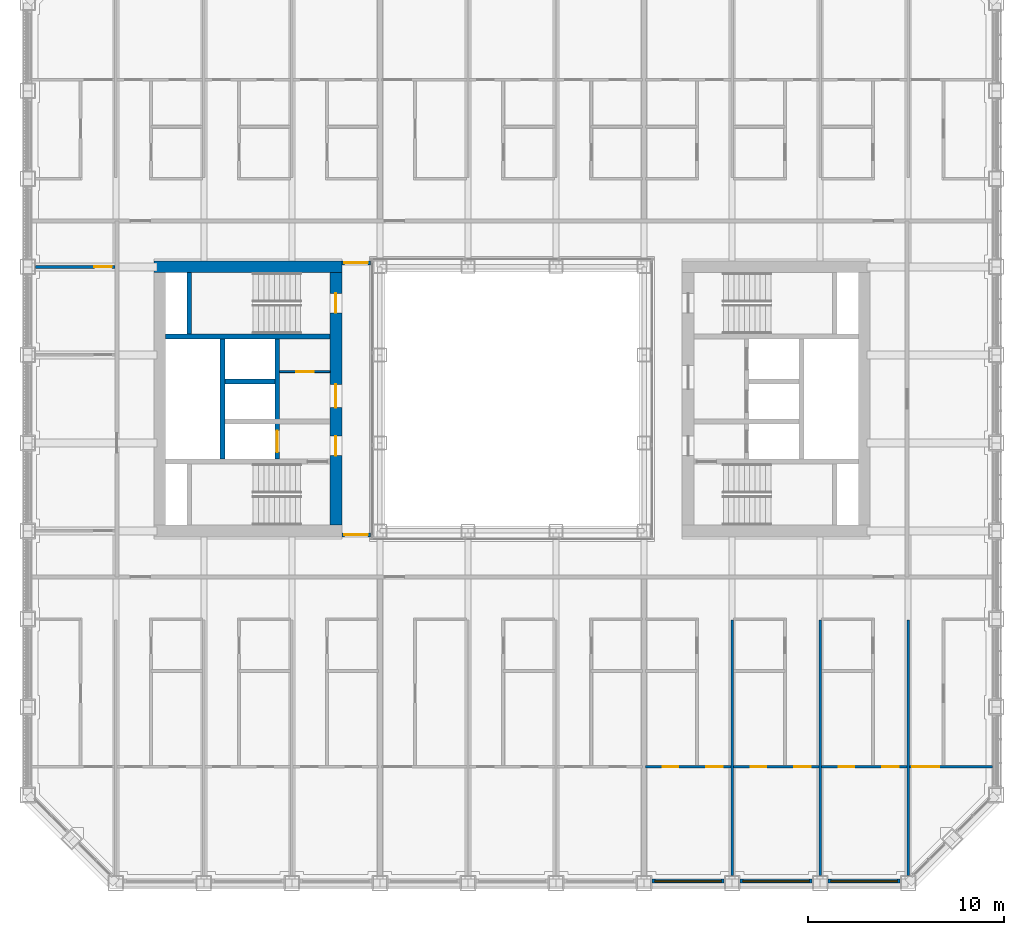
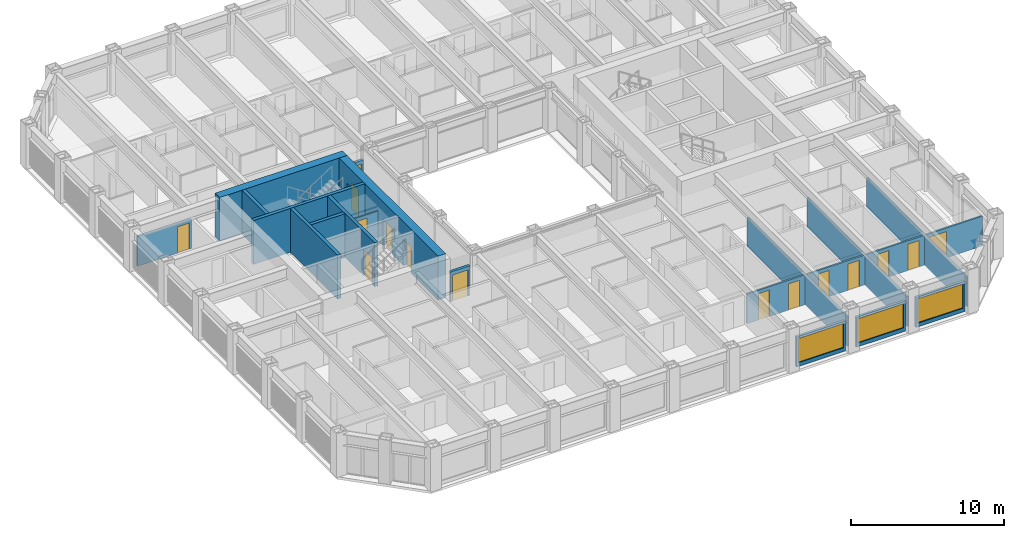
# One storey, part 11 of 21: 21 walls, 15 doors, 3 windows, 18 openings.
"""IFC4 building model written with IfcOpenShell, lengths in metres."""

from ifc_helpers import new_model, si_unit, direction, frame, frame_2d, origin, place, context, subcontext, project, spatial, rectangle, extrude, material, layer, layer_set, type_object, element, fill, save


model = new_model("IFC4")

# Units and contexts
model_context = context("Model", 3, precision=1e-05, world=origin(), true_north=direction((0.0, 1.0)))
body_context = subcontext(model_context, "Body", "Model", "MODEL_VIEW")
ifc_project = project(units=[si_unit("LENGTHUNIT", "METRE"), si_unit("AREAUNIT", "SQUARE_METRE"), si_unit("VOLUMEUNIT", "CUBIC_METRE"), si_unit("PLANEANGLEUNIT", "RADIAN"), si_unit("MASSUNIT", "GRAM", prefix="KILO")], contexts=[model_context])

# Site, building, storey
site_placement = place(None, origin())
site = spatial("IfcSite", under=ifc_project, at=site_placement, CompositionType="ELEMENT")
building_placement = place(site_placement, origin())
building = spatial("IfcBuilding", under=site, at=building_placement, Name="Msasa Ring Tower", CompositionType="ELEMENT")
storey_placement = place(building_placement, frame((0.0, 0.0, 89.5)))
storey = spatial("IfcBuildingStorey", under=building, at=storey_placement, Name="L23", CompositionType="ELEMENT", Elevation=89.5)

# Wall
ifc_material_1 = material(Name="Concrete C60/75", Category="concrete")
ifc_layer_1 = layer(ifc_material_1, 0.60009765625)
ifc_layer_set_1 = layer_set([ifc_layer_1], Name="CW1 CORE WALL 600")
wall_type_1 = type_object("IfcWallType", Name="CW1 CORE WALL 600", PredefinedType="SHEAR", material=ifc_layer_set_1)
wall_1_placement = place(storey_placement, frame((-8.699951171875, 6.75, 0.0), z_axis=(0.0, 0.0, 1.0), x_axis=(-1.0, 0.0, 0.0)))
element("IfcWall", 1, at=wall_1_placement, inside=storey, type_object=wall_type_1, Name="W core wall N L23", PredefinedType="SHEAR", context=body_context, shape_type="SweptSolid", body=[
    extrude(rectangle(XDim=9.60009765625, YDim=0.60009765625, at=frame_2d((4.800048828125, 0.0))), origin(), (0.0, 0.0, 1.0), 3.5),
])

# Wall, openings, doors
wall_2_placement = place(storey_placement, frame((-9.0, -6.449951171875, 0.0), z_axis=(0.0, 0.0, 1.0), x_axis=(0.0, 1.0, 0.0)))
wall_2 = element("IfcWall", 2, at=wall_2_placement, inside=storey, type_object=wall_type_1, Name="W core wall W L23", PredefinedType="SHEAR", context=body_context, shape_type="SweptSolid", body=[
    extrude(rectangle(XDim=12.89990234375, YDim=0.60009765625, at=frame_2d((6.449951171875, 0.0))), origin(), (0.0, 0.0, 1.0), 3.5),
])
opening_1_placement = place(wall_2_placement, frame((3.550048828125, 0.0, 0.0)))
opening_1 = element("IfcOpeningElement", 3, at=opening_1_placement, cuts=wall_2, Name="Opening RG-044", PredefinedType="OPENING", context=body_context, shape_type="SweptSolid", body=[
    extrude(rectangle(XDim=1.0, YDim=2.10009765625, at=frame_2d((0.5, 1.050048828125))), frame((0.0, 0.31005859375, 0.0), z_axis=(0.0, -1.0, 0.0), x_axis=(1.0, 0.0, 0.0)), (0.0, 0.0, 1.0), 0.6201171875),
])
opening_2_placement = place(wall_2_placement, frame((6.0, 0.0, 0.0)))
opening_2 = element("IfcOpeningElement", 4, at=opening_2_placement, cuts=wall_2, Name="Opening RG-041", PredefinedType="OPENING", context=body_context, shape_type="SweptSolid", body=[
    extrude(rectangle(XDim=1.199951171875, YDim=2.10009765625, at=frame_2d((0.60009765625, 1.050048828125))), frame((0.0, 0.31005859375, 0.0), z_axis=(0.0, -1.0, 0.0), x_axis=(1.0, 0.0, 0.0)), (0.0, 0.0, 1.0), 0.6201171875),
])
opening_3_placement = place(wall_2_placement, frame((10.85009765625, 0.0, 0.0)))
opening_3 = element("IfcOpeningElement", 5, at=opening_3_placement, cuts=wall_2, Name="Opening RG-036", PredefinedType="OPENING", context=body_context, shape_type="SweptSolid", body=[
    extrude(rectangle(XDim=1.0, YDim=2.10009765625, at=frame_2d((0.5, 1.050048828125))), frame((0.0, 0.31005859375, 0.0), z_axis=(0.0, -1.0, 0.0), x_axis=(1.0, 0.0, 0.0)), (0.0, 0.0, 1.0), 0.6201171875),
])
ifc_material_2 = material(Name="Timber door leaf in a steel frame", Category="steel")
door_type_1 = type_object("IfcDoorType", Name="D26 WIDE SERVICE ROOM DOOR 1200x2100", OperationType="SINGLE_SWING_LEFT", PredefinedType="DOOR", material=ifc_material_2)
door_1_placement = place(opening_2_placement, origin())
door_1 = element("IfcDoor", 6, at=door_1_placement, inside=storey, type_object=door_type_1, Name="Door L23-WCR", OperationType="SINGLE_SWING_RIGHT", OverallHeight=2.10009765625, OverallWidth=1.199951171875, PredefinedType="DOOR", context=body_context, shape_type="SweptSolid", body=[
    extrude(rectangle(XDim=1.199951171875, YDim=2.10009765625, at=frame_2d((0.60009765625, 1.050048828125))), frame((0.0, 0.02490234375, 0.0), z_axis=(0.0, -1.0, 0.0), x_axis=(1.0, 0.0, 0.0)), (0.0, 0.0, 1.0), 0.050048828125),
])
fill(opening_2, door_1)
ifc_material_3 = material(Name="Timber door leaf in a steel frame", Category="steel")
door_type_2 = type_object("IfcDoorType", Name="D4 LOBBY DOOR 1000x2100", OperationType="SINGLE_SWING_LEFT", PredefinedType="DOOR", material=ifc_material_3)
door_2_placement = place(opening_1_placement, origin())
door_2 = element("IfcDoor", 7, at=door_2_placement, inside=storey, type_object=door_type_2, Name="Door L23-WFFL", OperationType="SINGLE_SWING_LEFT", OverallHeight=2.10009765625, OverallWidth=1.0, PredefinedType="DOOR", context=body_context, shape_type="SweptSolid", body=[
    extrude(rectangle(XDim=1.0, YDim=2.10009765625, at=frame_2d((0.5, 1.050048828125))), frame((0.0, 0.02490234375, 0.0), z_axis=(0.0, -1.0, 0.0), x_axis=(1.0, 0.0, 0.0)), (0.0, 0.0, 1.0), 0.050048828125),
])
fill(opening_1, door_2)
ifc_material_4 = material(Name="Timber door leaf in a steel frame", Category="steel")
door_type_3 = type_object("IfcDoorType", Name="D6 STAIR DOOR 1000x2100", OperationType="SINGLE_SWING_LEFT", PredefinedType="DOOR", material=ifc_material_4)
door_3_placement = place(opening_3_placement, origin())
door_3 = element("IfcDoor", 8, at=door_3_placement, inside=storey, type_object=door_type_3, Name="Door L23-WSTB", OperationType="SINGLE_SWING_RIGHT", OverallHeight=2.10009765625, OverallWidth=1.0, PredefinedType="DOOR", context=body_context, shape_type="SweptSolid", body=[
    extrude(rectangle(XDim=1.0, YDim=2.10009765625, at=frame_2d((0.5, 1.050048828125))), frame((0.0, 0.02490234375, 0.0), z_axis=(0.0, -1.0, 0.0), x_axis=(1.0, 0.0, 0.0)), (0.0, 0.0, 1.0), 0.050048828125),
])
fill(opening_3, door_3)

# Walls
ifc_material_5 = material(Name="Concrete C60/75", Category="concrete")
ifc_layer_2 = layer(ifc_material_5, 0.25)
ifc_layer_set_2 = layer_set([ifc_layer_2], Name="CW4 CORE INNER WALL 250")
wall_type_2 = type_object("IfcWallType", Name="CW4 CORE INNER WALL 250", PredefinedType="SHEAR", material=ifc_layer_set_2)
wall_3_placement = place(storey_placement, frame((-9.300048828125, 3.199951171875, 0.0), z_axis=(0.0, 0.0, 1.0), x_axis=(-1.0, 0.0, 0.0)))
element("IfcWall", 9, at=wall_3_placement, inside=storey, type_object=wall_type_2, Name="W core wall STAIRB L23", PredefinedType="SHEAR", context=body_context, shape_type="SweptSolid", body=[
    extrude(rectangle(XDim=8.39990234375, YDim=0.25, at=frame_2d((4.199951171875, 0.0))), origin(), (0.0, 0.0, 1.0), 3.5),
])
wall_4_placement = place(storey_placement, frame((-16.5, 3.324951171875, 0.0), z_axis=(0.0, 0.0, 1.0), x_axis=(0.0, 1.0, 0.0)))
element("IfcWall", 10, at=wall_4_placement, inside=storey, type_object=wall_type_2, Name="W core wall RISERB L23", PredefinedType="SHEAR", context=body_context, shape_type="SweptSolid", body=[
    extrude(rectangle(XDim=3.125, YDim=0.25, at=frame_2d((1.5625, 0.0))), origin(), (0.0, 0.0, 1.0), 3.5),
])

# Wall, opening, door
wall_5_placement = place(storey_placement, frame((-12.0, -3.074951171875, 0.0), z_axis=(0.0, 0.0, 1.0), x_axis=(0.0, 1.0, 0.0)))
wall_5 = element("IfcWall", 11, at=wall_5_placement, inside=storey, type_object=wall_type_2, Name="W core wall LOBBY L23", PredefinedType="SHEAR", context=body_context, shape_type="SweptSolid", body=[
    extrude(rectangle(XDim=6.14990234375, YDim=0.25, at=frame_2d((3.074951171875, 0.0))), origin(), (0.0, 0.0, 1.0), 3.5),
])
opening_4_placement = place(wall_5_placement, frame((0.35009765625, 0.0, 0.0)))
opening_4 = element("IfcOpeningElement", 12, at=opening_4_placement, cuts=wall_5, Name="Opening LD1", PredefinedType="OPENING", context=body_context, shape_type="SweptSolid", body=[
    extrude(rectangle(XDim=1.10009765625, YDim=2.10009765625, at=frame_2d((0.550048828125, 1.050048828125))), frame((0.0, 0.135009765625, 0.0), z_axis=(0.0, -1.0, 0.0), x_axis=(1.0, 0.0, 0.0)), (0.0, 0.0, 1.0), 0.27001953125),
])
ifc_material_6 = material(Name="Stainless steel lift landing door", Category="steel")
door_type_4 = type_object("IfcDoorType", Name="LD1 LIFT LANDING DOOR 1100x2100", OperationType="DOUBLE_DOOR_SLIDING", PredefinedType="DOOR", material=ifc_material_6)
door_4_placement = place(opening_4_placement, origin())
door_4 = element("IfcDoor", 13, at=door_4_placement, inside=storey, type_object=door_type_4, Name="Lift landing door FL-W L23", OperationType="DOUBLE_DOOR_SLIDING", OverallHeight=2.10009765625, OverallWidth=1.10009765625, PredefinedType="DOOR", context=body_context, shape_type="SweptSolid", body=[
    extrude(rectangle(XDim=1.10009765625, YDim=2.10009765625, at=frame_2d((0.550048828125, 1.050048828125))), frame((0.0, 0.02490234375, 0.0), z_axis=(0.0, -1.0, 0.0), x_axis=(1.0, 0.0, 0.0)), (0.0, 0.0, 1.0), 0.050048828125),
])
fill(opening_4, door_4)

# Walls
wall_6_placement = place(storey_placement, frame((-14.800048828125, -3.074951171875, 0.0), z_axis=(0.0, 0.0, 1.0), x_axis=(0.0, 1.0, 0.0)))
element("IfcWall", 14, at=wall_6_placement, inside=storey, type_object=wall_type_2, Name="W core wall SHAFT L23", PredefinedType="SHEAR", context=body_context, shape_type="SweptSolid", body=[
    extrude(rectangle(XDim=6.14990234375, YDim=0.25, at=frame_2d((3.074951171875, 0.0))), origin(), (0.0, 0.0, 1.0), 3.5),
])
wall_7_placement = place(storey_placement, frame((-12.125, 0.89990234375, 0.0), z_axis=(0.0, 0.0, 1.0), x_axis=(-1.0, 0.0, 0.0)))
element("IfcWall", 15, at=wall_7_placement, inside=storey, type_object=wall_type_2, Name="W core wall LIFT1 L23", PredefinedType="SHEAR", context=body_context, shape_type="SweptSolid", body=[
    extrude(rectangle(XDim=2.550048828125, YDim=0.25, at=frame_2d((1.27490234375, 0.0))), origin(), (0.0, 0.0, 1.0), 3.5),
])

# Wall, opening, window
ifc_material_7 = material(Name="Terracotta rainscreen on blockwork", Category="masonry")
ifc_layer_3 = layer(ifc_material_7, 0.199951171875)
ifc_layer_set_3 = layer_set([ifc_layer_3], Name="FW1 TERRACOTTA-LINED INFILL BAY WALL 200")
wall_type_3 = type_object("IfcWallType", Name="FW1 TERRACOTTA-LINED INFILL BAY WALL 200", PredefinedType="SOLIDWALL", material=ifc_layer_set_3)
wall_8_placement = place(storey_placement, frame((7.155029296875, -24.64990234375, 0.0), z_axis=(0.0, 0.0, 1.0), x_axis=(1.0, 0.0, 0.0)))
wall_8 = element("IfcWall", 16, at=wall_8_placement, inside=storey, type_object=wall_type_3, Name="Infill bay wall S L23 06", PredefinedType="SOLIDWALL", context=body_context, shape_type="SweptSolid", body=[
    extrude(rectangle(XDim=3.68994140625, YDim=0.199951171875, at=frame_2d((1.844970703125, 0.0))), origin(), (0.0, 0.0, 1.0), 2.37890625),
])
opening_5_placement = place(wall_8_placement, frame((0.14501953125, 0.0, 0.300048828125)))
opening_5 = element("IfcOpeningElement", 17, at=opening_5_placement, cuts=wall_8, Name="Opening WN1", PredefinedType="OPENING", context=body_context, shape_type="SweptSolid", body=[
    extrude(rectangle(XDim=3.39990234375, YDim=1.928955078125, at=frame_2d((1.699951171875, 0.96435546875))), frame((0.0, 0.10986328125, 0.0), z_axis=(0.0, -1.0, 0.0), x_axis=(1.0, 0.0, 0.0)), (0.0, 0.0, 1.0), 0.219970703125),
])
ifc_material_8 = material(Name="Aluminium frame with clear glass", Category="aluminium")
window_type = type_object("IfcWindowType", Name="WN1 RESIDENCE WINDOW 3400x1929", PartitioningType="SINGLE_PANEL", PredefinedType="WINDOW", material=ifc_material_8)
window_1_placement = place(opening_5_placement, origin())
window_1 = element("IfcWindow", 18, at=window_1_placement, inside=storey, type_object=window_type, Name="Window S L23 06", OverallHeight=1.928955078125, OverallWidth=3.39990234375, PartitioningType="SINGLE_PANEL", PredefinedType="WINDOW", context=body_context, shape_type="SweptSolid", body=[
    extrude(rectangle(XDim=3.39990234375, YDim=1.928955078125, at=frame_2d((1.699951171875, 0.96435546875))), frame((0.0, 0.030029296875, 0.0), z_axis=(0.0, -1.0, 0.0), x_axis=(1.0, 0.0, 0.0)), (0.0, 0.0, 1.0), 0.06005859375),
])
fill(opening_5, window_1)

wall_9_placement = place(storey_placement, frame((11.655029296875, -24.64990234375, 0.0), z_axis=(0.0, 0.0, 1.0), x_axis=(1.0, 0.0, 0.0)))
wall_9 = element("IfcWall", 19, at=wall_9_placement, inside=storey, type_object=wall_type_3, Name="Infill bay wall S L23 07", PredefinedType="SOLIDWALL", context=body_context, shape_type="SweptSolid", body=[
    extrude(rectangle(XDim=3.68994140625, YDim=0.199951171875, at=frame_2d((1.844970703125, 0.0))), origin(), (0.0, 0.0, 1.0), 2.37890625),
])
opening_6_placement = place(wall_9_placement, frame((0.14501953125, 0.0, 0.300048828125)))
opening_6 = element("IfcOpeningElement", 20, at=opening_6_placement, cuts=wall_9, Name="Opening WN1", PredefinedType="OPENING", context=body_context, shape_type="SweptSolid", body=[
    extrude(rectangle(XDim=3.39990234375, YDim=1.928955078125, at=frame_2d((1.699951171875, 0.96435546875))), frame((0.0, 0.10986328125, 0.0), z_axis=(0.0, -1.0, 0.0), x_axis=(1.0, 0.0, 0.0)), (0.0, 0.0, 1.0), 0.219970703125),
])
window_2_placement = place(opening_6_placement, origin())
window_2 = element("IfcWindow", 21, at=window_2_placement, inside=storey, type_object=window_type, Name="Window S L23 07", OverallHeight=1.928955078125, OverallWidth=3.39990234375, PartitioningType="SINGLE_PANEL", PredefinedType="WINDOW", context=body_context, shape_type="SweptSolid", body=[
    extrude(rectangle(XDim=3.39990234375, YDim=1.928955078125, at=frame_2d((1.699951171875, 0.96435546875))), frame((0.0, 0.030029296875, 0.0), z_axis=(0.0, -1.0, 0.0), x_axis=(1.0, 0.0, 0.0)), (0.0, 0.0, 1.0), 0.06005859375),
])
fill(opening_6, window_2)

wall_10_placement = place(storey_placement, frame((16.155029296875, -24.64990234375, 0.0), z_axis=(0.0, 0.0, 1.0), x_axis=(1.0, 0.0, 0.0)))
wall_10 = element("IfcWall", 22, at=wall_10_placement, inside=storey, type_object=wall_type_3, Name="Infill bay wall S L23 08", PredefinedType="SOLIDWALL", context=body_context, shape_type="SweptSolid", body=[
    extrude(rectangle(XDim=3.68994140625, YDim=0.199951171875, at=frame_2d((1.844970703125, 0.0))), origin(), (0.0, 0.0, 1.0), 2.37890625),
])
opening_7_placement = place(wall_10_placement, frame((0.14501953125, 0.0, 0.300048828125)))
opening_7 = element("IfcOpeningElement", 23, at=opening_7_placement, cuts=wall_10, Name="Opening WN1", PredefinedType="OPENING", context=body_context, shape_type="SweptSolid", body=[
    extrude(rectangle(XDim=3.39990234375, YDim=1.928955078125, at=frame_2d((1.699951171875, 0.96435546875))), frame((0.0, 0.10986328125, 0.0), z_axis=(0.0, -1.0, 0.0), x_axis=(1.0, 0.0, 0.0)), (0.0, 0.0, 1.0), 0.219970703125),
])
window_3_placement = place(opening_7_placement, origin())
window_3 = element("IfcWindow", 24, at=window_3_placement, inside=storey, type_object=window_type, Name="Window S L23 08", OverallHeight=1.928955078125, OverallWidth=3.39990234375, PartitioningType="SINGLE_PANEL", PredefinedType="WINDOW", context=body_context, shape_type="SweptSolid", body=[
    extrude(rectangle(XDim=3.39990234375, YDim=1.928955078125, at=frame_2d((1.699951171875, 0.96435546875))), frame((0.0, 0.030029296875, 0.0), z_axis=(0.0, -1.0, 0.0), x_axis=(1.0, 0.0, 0.0)), (0.0, 0.0, 1.0), 0.06005859375),
])
fill(opening_7, window_3)

# Wall, opening, door
ifc_material_9 = material(Name="Concrete blockwork", Category="masonry")
ifc_layer_4 = layer(ifc_material_9, 0.199951171875)
ifc_layer_set_4 = layer_set([ifc_layer_4], Name="PT1 CORRIDOR WALL 200")
wall_type_4 = type_object("IfcWallType", Name="PT1 CORRIDOR WALL 200", PredefinedType="PARTITIONING", material=ifc_layer_set_4)
wall_11_placement = place(storey_placement, frame((-8.699951171875, 6.949951171875, 0.0), z_axis=(0.0, 0.0, 1.0), x_axis=(1.0, 0.0, 0.0)))
wall_11 = element("IfcWall", 25, at=wall_11_placement, inside=storey, type_object=wall_type_4, Name="Corridor wall L23-SDWN", PredefinedType="PARTITIONING", context=body_context, shape_type="SweptSolid", body=[
    extrude(rectangle(XDim=1.469970703125, YDim=0.199951171875, at=frame_2d((0.73486328125, 0.0))), origin(), (0.0, 0.0, 1.0), 2.373291015625),
])
opening_8_placement = place(wall_11_placement, frame((0.135009765625, 0.0, 0.0)))
opening_8 = element("IfcOpeningElement", 26, at=opening_8_placement, cuts=wall_11, Name="Opening RG-034", PredefinedType="OPENING", context=body_context, shape_type="SweptSolid", body=[
    extrude(rectangle(XDim=1.199951171875, YDim=2.10009765625, at=frame_2d((0.60009765625, 1.050048828125))), frame((0.0, 0.10986328125, 0.0), z_axis=(0.0, -1.0, 0.0), x_axis=(1.0, 0.0, 0.0)), (0.0, 0.0, 1.0), 0.219970703125),
])
ifc_material_10 = material(Name="Timber door leaf in a steel frame", Category="steel")
door_type_5 = type_object("IfcDoorType", Name="D25 CORRIDOR PAIR OF SMOKE DOORS 1200x2100", OperationType="DOUBLE_DOOR_DOUBLE_SWING", PredefinedType="DOOR", material=ifc_material_10)
door_5_placement = place(opening_8_placement, origin())
door_5 = element("IfcDoor", 27, at=door_5_placement, inside=storey, type_object=door_type_5, Name="Door L23-SDWN", OperationType="DOUBLE_DOOR_DOUBLE_SWING", OverallHeight=2.10009765625, OverallWidth=1.199951171875, PredefinedType="DOOR", context=body_context, shape_type="SweptSolid", body=[
    extrude(rectangle(XDim=1.199951171875, YDim=2.10009765625, at=frame_2d((0.60009765625, 1.050048828125))), frame((0.0, 0.02490234375, 0.0), z_axis=(0.0, -1.0, 0.0), x_axis=(1.0, 0.0, 0.0)), (0.0, 0.0, 1.0), 0.050048828125),
])
fill(opening_8, door_5)

wall_12_placement = place(storey_placement, frame((-8.699951171875, -6.949951171875, 0.0), z_axis=(0.0, 0.0, 1.0), x_axis=(1.0, 0.0, 0.0)))
wall_12 = element("IfcWall", 28, at=wall_12_placement, inside=storey, type_object=wall_type_4, Name="Corridor wall L23-SDWS", PredefinedType="PARTITIONING", context=body_context, shape_type="SweptSolid", body=[
    extrude(rectangle(XDim=1.469970703125, YDim=0.199951171875, at=frame_2d((0.73486328125, 0.0))), origin(), (0.0, 0.0, 1.0), 2.373291015625),
])
opening_9_placement = place(wall_12_placement, frame((0.135009765625, 0.0, 0.0)))
opening_9 = element("IfcOpeningElement", 29, at=opening_9_placement, cuts=wall_12, Name="Opening RG-049", PredefinedType="OPENING", context=body_context, shape_type="SweptSolid", body=[
    extrude(rectangle(XDim=1.199951171875, YDim=2.10009765625, at=frame_2d((0.60009765625, 1.050048828125))), frame((0.0, 0.10986328125, 0.0), z_axis=(0.0, -1.0, 0.0), x_axis=(1.0, 0.0, 0.0)), (0.0, 0.0, 1.0), 0.219970703125),
])
door_6_placement = place(opening_9_placement, origin())
door_6 = element("IfcDoor", 30, at=door_6_placement, inside=storey, type_object=door_type_5, Name="Door L23-SDWS", OperationType="DOUBLE_DOOR_DOUBLE_SWING", OverallHeight=2.10009765625, OverallWidth=1.199951171875, PredefinedType="DOOR", context=body_context, shape_type="SweptSolid", body=[
    extrude(rectangle(XDim=1.199951171875, YDim=2.10009765625, at=frame_2d((0.60009765625, 1.050048828125))), frame((0.0, 0.02490234375, 0.0), z_axis=(0.0, -1.0, 0.0), x_axis=(1.0, 0.0, 0.0)), (0.0, 0.0, 1.0), 0.050048828125),
])
fill(opening_9, door_6)

ifc_material_11 = material(Name="Gypsum board on steel studs", Category="steel")
ifc_layer_5 = layer(ifc_material_11, 0.10009765625)
ifc_layer_set_5 = layer_set([ifc_layer_5], Name="PT2 STUD PARTITION 100")
wall_type_5 = type_object("IfcWallType", Name="PT2 STUD PARTITION 100", PredefinedType="PARTITIONING", material=ifc_layer_set_5)
wall_13_placement = place(storey_placement, frame((-11.875, 1.39990234375, 0.0), z_axis=(0.0, 0.0, 1.0), x_axis=(1.0, 0.0, 0.0)))
wall_13 = element("IfcWall", 31, at=wall_13_placement, inside=storey, type_object=wall_type_5, Name="Partition L23-WCP", PredefinedType="PARTITIONING", context=body_context, shape_type="SweptSolid", body=[
    extrude(rectangle(XDim=2.574951171875, YDim=0.10009765625, at=frame_2d((1.28759765625, 0.0))), origin(), (0.0, 0.0, 1.0), 2.373291015625),
])
opening_10_placement = place(wall_13_placement, frame((0.83740234375, 0.0, 0.0)))
opening_10 = element("IfcOpeningElement", 32, at=opening_10_placement, cuts=wall_13, Name="Opening RG-039", PredefinedType="OPENING", context=body_context, shape_type="SweptSolid", body=[
    extrude(rectangle(XDim=0.89990234375, YDim=2.10009765625, at=frame_2d((0.449951171875, 1.050048828125))), frame((0.0, 0.06005859375, 0.0), z_axis=(0.0, -1.0, 0.0), x_axis=(1.0, 0.0, 0.0)), (0.0, 0.0, 1.0), 0.1201171875),
])
ifc_material_12 = material(Name="Timber door leaf in a steel frame", Category="steel")
door_type_6 = type_object("IfcDoorType", Name="D22 INTERNAL HALL DOOR 900x2100", OperationType="SINGLE_SWING_LEFT", PredefinedType="DOOR", material=ifc_material_12)
door_7_placement = place(opening_10_placement, origin())
door_7 = element("IfcDoor", 33, at=door_7_placement, inside=storey, type_object=door_type_6, Name="Door L23-WCP", OperationType="SINGLE_SWING_LEFT", OverallHeight=2.10009765625, OverallWidth=0.89990234375, PredefinedType="DOOR", context=body_context, shape_type="SweptSolid", body=[
    extrude(rectangle(XDim=0.89990234375, YDim=2.10009765625, at=frame_2d((0.449951171875, 1.050048828125))), frame((0.0, 0.02490234375, 0.0), z_axis=(0.0, -1.0, 0.0), x_axis=(1.0, 0.0, 0.0)), (0.0, 0.0, 1.0), 0.050048828125),
])
fill(opening_10, door_7)

ifc_material_13 = material(Name="Moisture-resistant board on steel studs with a concealed cistern and pipe void, tiled", Category="steel")
ifc_layer_6 = layer(ifc_material_13, 0.14990234375)
ifc_layer_set_6 = layer_set([ifc_layer_6], Name="PT4 BATHROOM WET WALL 150")
wall_type_6 = type_object("IfcWallType", Name="PT4 BATHROOM WET WALL 150", PredefinedType="PARTITIONING", material=ifc_layer_set_6)
wall_14_placement = place(storey_placement, frame((-24.35009765625, 6.75, 0.0), z_axis=(0.0, 0.0, 1.0), x_axis=(1.0, 0.0, 0.0)))
wall_14 = element("IfcWall", 34, at=wall_14_placement, inside=storey, type_object=wall_type_6, Name="Partition L23-STWBY", PredefinedType="PARTITIONING", context=body_context, shape_type="SweptSolid", body=[
    extrude(rectangle(XDim=4.050048828125, YDim=0.14990234375, at=frame_2d((2.02490234375, 0.0))), origin(), (0.0, 0.0, 1.0), 2.373291015625),
])
opening_11_placement = place(wall_14_placement, frame((3.0, 0.0, 0.0)))
opening_11 = element("IfcOpeningElement", 35, at=opening_11_placement, cuts=wall_14, Name="Opening RG-035", PredefinedType="OPENING", context=body_context, shape_type="SweptSolid", body=[
    extrude(rectangle(XDim=0.89990234375, YDim=2.10009765625, at=frame_2d((0.449951171875, 1.050048828125))), frame((0.0, 0.0849609375, 0.0), z_axis=(0.0, -1.0, 0.0), x_axis=(1.0, 0.0, 0.0)), (0.0, 0.0, 1.0), 0.169921875),
])
ifc_material_14 = material(Name="Timber door leaf in a steel frame", Category="steel")
door_type_7 = type_object("IfcDoorType", Name="D3 BATHROOM DOOR 900x2100", OperationType="SINGLE_SWING_LEFT", PredefinedType="DOOR", material=ifc_material_14)
door_8_placement = place(opening_11_placement, origin())
door_8 = element("IfcDoor", 36, at=door_8_placement, inside=storey, type_object=door_type_7, Name="Door L23-STWB", OperationType="SINGLE_SWING_RIGHT", OverallHeight=2.10009765625, OverallWidth=0.89990234375, PredefinedType="DOOR", context=body_context, shape_type="SweptSolid", body=[
    extrude(rectangle(XDim=0.89990234375, YDim=2.10009765625, at=frame_2d((0.449951171875, 1.050048828125))), frame((0.0, 0.02490234375, 0.0), z_axis=(0.0, -1.0, 0.0), x_axis=(1.0, 0.0, 0.0)), (0.0, 0.0, 1.0), 0.050048828125),
])
fill(opening_11, door_8)

ifc_material_15 = material(Name="Two layers of acoustic board each face on steel studs, mineral wool", Category="steel")
ifc_layer_7 = layer(ifc_material_15, 0.125)
ifc_layer_set_7 = layer_set([ifc_layer_7], Name="PT6 ACOUSTIC DOUBLE-BOARD PARTITION 125")
wall_type_7 = type_object("IfcWallType", Name="PT6 ACOUSTIC DOUBLE-BOARD PARTITION 125", PredefinedType="PARTITIONING", material=ifc_layer_set_7)
wall_15_placement = place(storey_placement, frame((20.3125, -18.8125, 0.0), z_axis=(0.0, 0.0, 1.0), x_axis=(1.0, 0.0, 0.0)))
wall_15 = element("IfcWall", 37, at=wall_15_placement, inside=storey, type_object=wall_type_7, Name="Partition L23-US02SY0", PredefinedType="PARTITIONING", context=body_context, shape_type="SweptSolid", body=[
    extrude(rectangle(XDim=4.237548828125, YDim=0.125, at=frame_2d((2.11865234375, 0.0))), origin(), (0.0, 0.0, 1.0), 2.373291015625),
])
opening_12_placement = place(wall_15_placement, frame((0.137451171875, 0.0, 0.0)))
opening_12 = element("IfcOpeningElement", 38, at=opening_12_placement, cuts=wall_15, Name="Opening RG-082", PredefinedType="OPENING", context=body_context, shape_type="SweptSolid", body=[
    extrude(rectangle(XDim=1.39990234375, YDim=2.10009765625, at=frame_2d((0.699951171875, 1.050048828125))), frame((0.0, 0.072509765625, 0.0), z_axis=(0.0, -1.0, 0.0), x_axis=(1.0, 0.0, 0.0)), (0.0, 0.0, 1.0), 0.14501953125),
])
ifc_material_16 = material(Name="Timber door leaf in a steel frame", Category="steel")
door_type_8 = type_object("IfcDoorType", Name="D15 LIVING ROOM PAIR OF GLAZED DOORS 1400x2100", OperationType="SINGLE_SWING_LEFT", PredefinedType="DOOR", material=ifc_material_16)
door_9_placement = place(opening_12_placement, origin())
door_9 = element("IfcDoor", 39, at=door_9_placement, inside=storey, type_object=door_type_8, Name="Door L23-US02L", OperationType="SINGLE_SWING_LEFT", OverallHeight=2.10009765625, OverallWidth=1.39990234375, PredefinedType="DOOR", context=body_context, shape_type="SweptSolid", body=[
    extrude(rectangle(XDim=1.39990234375, YDim=2.10009765625, at=frame_2d((0.699951171875, 1.050048828125))), frame((0.0, 0.02490234375, 0.0), z_axis=(0.0, -1.0, 0.0), x_axis=(1.0, 0.0, 0.0)), (0.0, 0.0, 1.0), 0.050048828125),
])
fill(opening_12, door_9)

# Wall
wall_16_placement = place(storey_placement, frame((20.25, -24.35009765625, 0.0), z_axis=(0.0, 0.0, 1.0), x_axis=(0.0, 1.0, 0.0)))
element("IfcWall", 40, at=wall_16_placement, inside=storey, type_object=wall_type_7, Name="Partition L23-US02P1", PredefinedType="PARTITIONING", context=body_context, shape_type="SweptSolid", body=[
    extrude(rectangle(XDim=13.03759765625, YDim=0.125, at=frame_2d((6.518798828125, 0.0))), origin(), (0.0, 0.0, 1.0), 2.373291015625),
])

# Wall, openings, doors
wall_17_placement = place(storey_placement, frame((15.8125, -18.8125, 0.0), z_axis=(0.0, 0.0, 1.0), x_axis=(1.0, 0.0, 0.0)))
wall_17 = element("IfcWall", 41, at=wall_17_placement, inside=storey, type_object=wall_type_7, Name="Partition L23-US02SY1", PredefinedType="PARTITIONING", context=body_context, shape_type="SweptSolid", body=[
    extrude(rectangle(XDim=4.375, YDim=0.125, at=frame_2d((2.1875, 0.0))), origin(), (0.0, 0.0, 1.0), 2.373291015625),
])
opening_13_placement = place(wall_17_placement, frame((3.112548828125, 0.0, 0.0)))
opening_13 = element("IfcOpeningElement", 42, at=opening_13_placement, cuts=wall_17, Name="Opening RG-081", PredefinedType="OPENING", context=body_context, shape_type="SweptSolid", body=[
    extrude(rectangle(XDim=0.85009765625, YDim=2.10009765625, at=frame_2d((0.425048828125, 1.050048828125))), frame((0.0, 0.072509765625, 0.0), z_axis=(0.0, -1.0, 0.0), x_axis=(1.0, 0.0, 0.0)), (0.0, 0.0, 1.0), 0.14501953125),
])
opening_14_placement = place(wall_17_placement, frame((0.88134765625, 0.0, 0.0)))
opening_14 = element("IfcOpeningElement", 43, at=opening_14_placement, cuts=wall_17, Name="Opening RG-080", PredefinedType="OPENING", context=body_context, shape_type="SweptSolid", body=[
    extrude(rectangle(XDim=0.800048828125, YDim=2.10009765625, at=frame_2d((0.39990234375, 1.050048828125))), frame((0.0, 0.072509765625, 0.0), z_axis=(0.0, -1.0, 0.0), x_axis=(1.0, 0.0, 0.0)), (0.0, 0.0, 1.0), 0.14501953125),
])
ifc_material_17 = material(Name="Timber door leaf in a steel frame", Category="steel")
door_type_9 = type_object("IfcDoorType", Name="D14 BEDROOM DOOR 850x2100", OperationType="SINGLE_SWING_LEFT", PredefinedType="DOOR", material=ifc_material_17)
door_10_placement = place(opening_13_placement, origin())
door_10 = element("IfcDoor", 44, at=door_10_placement, inside=storey, type_object=door_type_9, Name="Door L23-US02R1", OperationType="SINGLE_SWING_RIGHT", OverallHeight=2.10009765625, OverallWidth=0.85009765625, PredefinedType="DOOR", context=body_context, shape_type="SweptSolid", body=[
    extrude(rectangle(XDim=0.85009765625, YDim=2.10009765625, at=frame_2d((0.425048828125, 1.050048828125))), frame((0.0, 0.02490234375, 0.0), z_axis=(0.0, -1.0, 0.0), x_axis=(1.0, 0.0, 0.0)), (0.0, 0.0, 1.0), 0.050048828125),
])
fill(opening_13, door_10)
ifc_material_18 = material(Name="Timber door leaf in a steel frame", Category="steel")
door_type_10 = type_object("IfcDoorType", Name="D60 DRESSING ROOM DOOR 800x2100", OperationType="SINGLE_SWING_LEFT", PredefinedType="DOOR", material=ifc_material_18)
door_11_placement = place(opening_14_placement, origin())
door_11 = element("IfcDoor", 45, at=door_11_placement, inside=storey, type_object=door_type_10, Name="Door L23-US02W1", OperationType="SINGLE_SWING_LEFT", OverallHeight=2.10009765625, OverallWidth=0.800048828125, PredefinedType="DOOR", context=body_context, shape_type="SweptSolid", body=[
    extrude(rectangle(XDim=0.800048828125, YDim=2.10009765625, at=frame_2d((0.39990234375, 1.050048828125))), frame((0.0, 0.02490234375, 0.0), z_axis=(0.0, -1.0, 0.0), x_axis=(1.0, 0.0, 0.0)), (0.0, 0.0, 1.0), 0.050048828125),
])
fill(opening_14, door_11)

# Wall
wall_18_placement = place(storey_placement, frame((15.75, -24.35009765625, 0.0), z_axis=(0.0, 0.0, 1.0), x_axis=(0.0, 1.0, 0.0)))
element("IfcWall", 46, at=wall_18_placement, inside=storey, type_object=wall_type_7, Name="Partition L23-US02P2", PredefinedType="PARTITIONING", context=body_context, shape_type="SweptSolid", body=[
    extrude(rectangle(XDim=13.03759765625, YDim=0.125, at=frame_2d((6.518798828125, 0.0))), origin(), (0.0, 0.0, 1.0), 2.373291015625),
])

# Wall, openings, doors
wall_19_placement = place(storey_placement, frame((11.3125, -18.8125, 0.0), z_axis=(0.0, 0.0, 1.0), x_axis=(1.0, 0.0, 0.0)))
wall_19 = element("IfcWall", 47, at=wall_19_placement, inside=storey, type_object=wall_type_7, Name="Partition L23-US02SY2", PredefinedType="PARTITIONING", context=body_context, shape_type="SweptSolid", body=[
    extrude(rectangle(XDim=4.375, YDim=0.125, at=frame_2d((2.1875, 0.0))), origin(), (0.0, 0.0, 1.0), 2.373291015625),
])
opening_15_placement = place(wall_19_placement, frame((3.112548828125, 0.0, 0.0)))
opening_15 = element("IfcOpeningElement", 48, at=opening_15_placement, cuts=wall_19, Name="Opening RG-079", PredefinedType="OPENING", context=body_context, shape_type="SweptSolid", body=[
    extrude(rectangle(XDim=0.85009765625, YDim=2.10009765625, at=frame_2d((0.425048828125, 1.050048828125))), frame((0.0, 0.072509765625, 0.0), z_axis=(0.0, -1.0, 0.0), x_axis=(1.0, 0.0, 0.0)), (0.0, 0.0, 1.0), 0.14501953125),
])
opening_16_placement = place(wall_19_placement, frame((0.88134765625, 0.0, 0.0)))
opening_16 = element("IfcOpeningElement", 49, at=opening_16_placement, cuts=wall_19, Name="Opening RG-078", PredefinedType="OPENING", context=body_context, shape_type="SweptSolid", body=[
    extrude(rectangle(XDim=0.800048828125, YDim=2.10009765625, at=frame_2d((0.39990234375, 1.050048828125))), frame((0.0, 0.072509765625, 0.0), z_axis=(0.0, -1.0, 0.0), x_axis=(1.0, 0.0, 0.0)), (0.0, 0.0, 1.0), 0.14501953125),
])
door_12_placement = place(opening_15_placement, origin())
door_12 = element("IfcDoor", 50, at=door_12_placement, inside=storey, type_object=door_type_9, Name="Door L23-US02R2", OperationType="SINGLE_SWING_RIGHT", OverallHeight=2.10009765625, OverallWidth=0.85009765625, PredefinedType="DOOR", context=body_context, shape_type="SweptSolid", body=[
    extrude(rectangle(XDim=0.85009765625, YDim=2.10009765625, at=frame_2d((0.425048828125, 1.050048828125))), frame((0.0, 0.02490234375, 0.0), z_axis=(0.0, -1.0, 0.0), x_axis=(1.0, 0.0, 0.0)), (0.0, 0.0, 1.0), 0.050048828125),
])
fill(opening_15, door_12)
door_13_placement = place(opening_16_placement, origin())
door_13 = element("IfcDoor", 51, at=door_13_placement, inside=storey, type_object=door_type_10, Name="Door L23-US02W2", OperationType="SINGLE_SWING_LEFT", OverallHeight=2.10009765625, OverallWidth=0.800048828125, PredefinedType="DOOR", context=body_context, shape_type="SweptSolid", body=[
    extrude(rectangle(XDim=0.800048828125, YDim=2.10009765625, at=frame_2d((0.39990234375, 1.050048828125))), frame((0.0, 0.02490234375, 0.0), z_axis=(0.0, -1.0, 0.0), x_axis=(1.0, 0.0, 0.0)), (0.0, 0.0, 1.0), 0.050048828125),
])
fill(opening_16, door_13)

# Wall
wall_20_placement = place(storey_placement, frame((11.25, -24.35009765625, 0.0), z_axis=(0.0, 0.0, 1.0), x_axis=(0.0, 1.0, 0.0)))
element("IfcWall", 52, at=wall_20_placement, inside=storey, type_object=wall_type_7, Name="Partition L23-US02P3", PredefinedType="PARTITIONING", context=body_context, shape_type="SweptSolid", body=[
    extrude(rectangle(XDim=13.03759765625, YDim=0.125, at=frame_2d((6.518798828125, 0.0))), origin(), (0.0, 0.0, 1.0), 2.373291015625),
])

# Wall, openings, doors
wall_21_placement = place(storey_placement, frame((6.8173828125, -18.8125, 0.0), z_axis=(0.0, 0.0, 1.0), x_axis=(1.0, 0.0, 0.0)))
wall_21 = element("IfcWall", 53, at=wall_21_placement, inside=storey, type_object=wall_type_7, Name="Partition L23-US02SY3", PredefinedType="PARTITIONING", context=body_context, shape_type="SweptSolid", body=[
    extrude(rectangle(XDim=4.3701171875, YDim=0.125, at=frame_2d((2.18505859375, 0.0))), origin(), (0.0, 0.0, 1.0), 2.373291015625),
])
opening_17_placement = place(wall_21_placement, frame((3.107421875, 0.0, 0.0)))
opening_17 = element("IfcOpeningElement", 54, at=opening_17_placement, cuts=wall_21, Name="Opening RG-077", PredefinedType="OPENING", context=body_context, shape_type="SweptSolid", body=[
    extrude(rectangle(XDim=0.85009765625, YDim=2.10009765625, at=frame_2d((0.425048828125, 1.050048828125))), frame((0.0, 0.072509765625, 0.0), z_axis=(0.0, -1.0, 0.0), x_axis=(1.0, 0.0, 0.0)), (0.0, 0.0, 1.0), 0.14501953125),
])
opening_18_placement = place(wall_21_placement, frame((0.876220703125, 0.0, 0.0)))
opening_18 = element("IfcOpeningElement", 55, at=opening_18_placement, cuts=wall_21, Name="Opening RG-076", PredefinedType="OPENING", context=body_context, shape_type="SweptSolid", body=[
    extrude(rectangle(XDim=0.800048828125, YDim=2.10009765625, at=frame_2d((0.39990234375, 1.050048828125))), frame((0.0, 0.072509765625, 0.0), z_axis=(0.0, -1.0, 0.0), x_axis=(1.0, 0.0, 0.0)), (0.0, 0.0, 1.0), 0.14501953125),
])
door_14_placement = place(opening_17_placement, origin())
door_14 = element("IfcDoor", 56, at=door_14_placement, inside=storey, type_object=door_type_9, Name="Door L23-US02R3", OperationType="SINGLE_SWING_RIGHT", OverallHeight=2.10009765625, OverallWidth=0.85009765625, PredefinedType="DOOR", context=body_context, shape_type="SweptSolid", body=[
    extrude(rectangle(XDim=0.85009765625, YDim=2.10009765625, at=frame_2d((0.425048828125, 1.050048828125))), frame((0.0, 0.02490234375, 0.0), z_axis=(0.0, -1.0, 0.0), x_axis=(1.0, 0.0, 0.0)), (0.0, 0.0, 1.0), 0.050048828125),
])
fill(opening_17, door_14)
door_15_placement = place(opening_18_placement, origin())
door_15 = element("IfcDoor", 57, at=door_15_placement, inside=storey, type_object=door_type_10, Name="Door L23-US02W3", OperationType="SINGLE_SWING_LEFT", OverallHeight=2.10009765625, OverallWidth=0.800048828125, PredefinedType="DOOR", context=body_context, shape_type="SweptSolid", body=[
    extrude(rectangle(XDim=0.800048828125, YDim=2.10009765625, at=frame_2d((0.39990234375, 1.050048828125))), frame((0.0, 0.02490234375, 0.0), z_axis=(0.0, -1.0, 0.0), x_axis=(1.0, 0.0, 0.0)), (0.0, 0.0, 1.0), 0.050048828125),
])
fill(opening_18, door_15)

save(model, "model.ifc")
